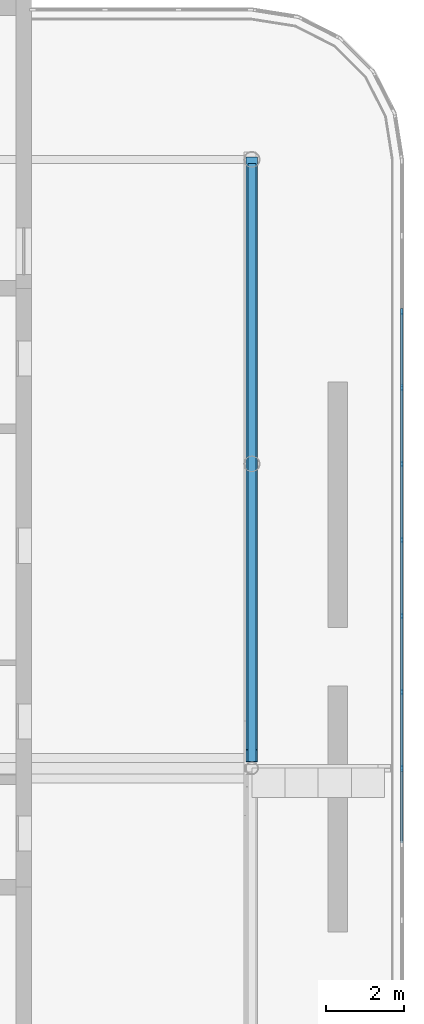
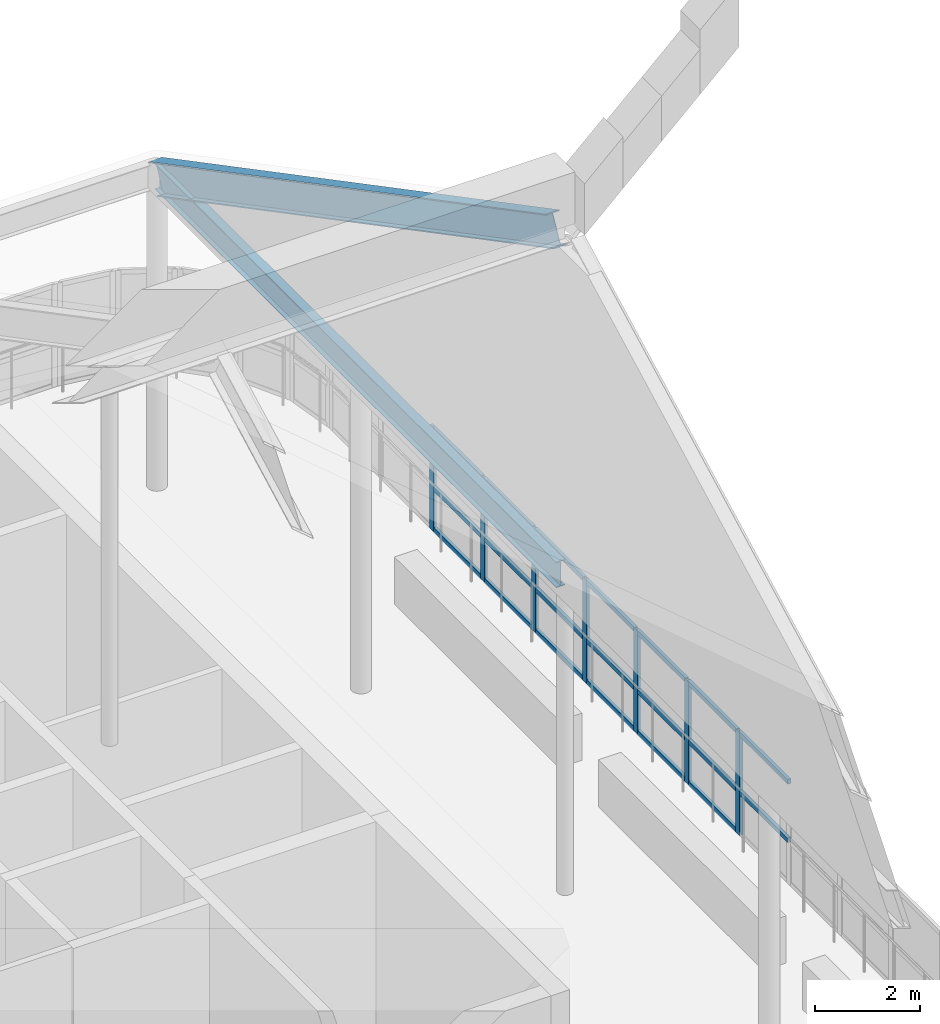
# One storey, part 10 of 19: 27 members, 2 beams, 1 element without a shape of its own.
"""IFC4 building model written with IfcOpenShell, lengths in metres."""

from ifc_helpers import new_model, si_unit, direction, frame, origin, origin_2d, place, context, subcontext, project, spatial, rectangle, i_section, extrude, material, material_profile, profile_set, type_object, element, aggregate, save


model = new_model("IFC4")

# Units and contexts
model_context = context("Model", 3, precision=1e-05, world=origin(), true_north=direction((0.0, 1.0)))
body_context = subcontext(model_context, "Body", "Model", "MODEL_VIEW")
ifc_project = project(units=[si_unit("LENGTHUNIT", "METRE"), si_unit("AREAUNIT", "SQUARE_METRE"), si_unit("VOLUMEUNIT", "CUBIC_METRE"), si_unit("PLANEANGLEUNIT", "RADIAN"), si_unit("MASSUNIT", "GRAM", prefix="KILO")], contexts=[model_context])

# Site, building, storey
site_placement = place(None, origin())
site = spatial("IfcSite", under=ifc_project, at=site_placement, CompositionType="ELEMENT")
building_placement = place(site_placement, origin())
building = spatial("IfcBuilding", under=site, at=building_placement, Name="Ludao Terraces", CompositionType="ELEMENT")
storey_placement = place(building_placement, frame((0.0, 0.0, 266.39990234375)))
storey = spatial("IfcBuildingStorey", under=building, at=storey_placement, Name="L73", CompositionType="ELEMENT", Elevation=266.39990234375)

# Beams
ifc_material_1 = material(Name="Steel Q355", Category="steel")
ifc_material_profile_1 = material_profile(ifc_material_1, i_section(OverallWidth=0.199951171875, OverallDepth=0.60009765625, WebThickness=0.010986328125, FlangeThickness=0.01708984375, at=origin_2d()), Name="HN 600X200X11X17")
ifc_profile_set_1 = profile_set([ifc_material_profile_1], Name="Steel Q355")
beam_type_1 = type_object("IfcBeamType", Name="Canopy eave beam HN 600x200x11x17 Q355", PredefinedType="BEAM", material=ifc_profile_set_1)
beam_1_placement = place(storey_placement, frame((100.60009765625, 65.16748046875, 7.29541015625), z_axis=(0.0, 1.0, 0.0), x_axis=(-1.0, 0.0, 0.0)))
element("IfcBeam", 1, at=beam_1_placement, inside=storey, type_object=beam_type_1, Name="Gable tie beam E north", PredefinedType="BEAM", context=body_context, shape_type="SweptSolid", body=[
    extrude(i_section(OverallWidth=0.199951171875, OverallDepth=0.60009765625, WebThickness=0.010986328125, FlangeThickness=0.01708984375, at=origin_2d()), origin(), (0.0, 0.0, 1.0), 15.33251953125),
])
ifc_material_profile_2 = material_profile(ifc_material_1, i_section(OverallWidth=0.300048828125, OverallDepth=0.699951171875, WebThickness=0.012939453125, FlangeThickness=0.02392578125, at=origin_2d()), Name="HN 700X300X13X24")
ifc_profile_set_2 = profile_set([ifc_material_profile_2], Name="Steel Q355")
beam_type_2 = type_object("IfcBeamType", Name="Canopy rafter HN 700x300x13x24 Q355", PredefinedType="BEAM", material=ifc_profile_set_2)
beam_2_placement = place(storey_placement, frame((100.60009765625, 80.5, 7.252685546875), z_axis=(0.0, -0.885167271236, 0.465272932732), x_axis=(1.0, 0.0, 0.0)))
element("IfcBeam", 2, at=beam_2_placement, inside=storey, type_object=beam_type_2, Name="Canopy rafter north 390", PredefinedType="BEAM", context=body_context, shape_type="SweptSolid", body=[
    extrude(i_section(OverallWidth=0.300048828125, OverallDepth=0.699951171875, WebThickness=0.012939453125, FlangeThickness=0.02392578125, at=origin_2d()), origin(), (0.0, 0.0, 1.0), 17.151611328125),
])

# Curtain wall, members
ifc_material_2 = material(Name="Aluminium curtain wall with fritted glass", Category="aluminium")
curtain_wall_type = type_object("IfcCurtainWallType", Name="ENV CW6 crown screen glazing", PredefinedType="NOTDEFINED", material=ifc_material_2)
curtain_wall_placement = place(storey_placement, origin())
curtain_wall = element("IfcCurtainWall", 3, at=curtain_wall_placement, inside=storey, type_object=curtain_wall_type, Name="Deck windscreen E1", PredefinedType="NOTDEFINED")
ifc_material_3 = material(Name="Aluminium 6063-T6", Category="aluminium")
ifc_material_profile_3 = material_profile(ifc_material_3, rectangle(XDim=0.070068359375, YDim=0.159912109375, at=origin_2d()), Name="70 X 160")
ifc_profile_set_3 = profile_set([ifc_material_profile_3], Name="Aluminium 6063-T6")
member_type_1 = type_object("IfcMemberType", Name="ENV CW6 mullion 70x160", PredefinedType="MULLION", material=ifc_profile_set_3)
member_1_placement = place(storey_placement, frame((104.43994140625, 65.0, 0.0), z_axis=(0.0, 0.0, 1.0), x_axis=(-1.0, 0.0, 0.0)))
member_1 = element("IfcMember", 4, at=member_1_placement, type_object=member_type_1, Name="CW6 mullion 9", PredefinedType="MULLION", context=body_context, shape_type="SweptSolid", body=[
    extrude(rectangle(XDim=0.070068359375, YDim=0.159912109375, at=origin_2d()), origin(), (0.0, 0.0, 1.0), 2.400146484375),
])
member_2_placement = place(storey_placement, frame((104.43994140625, 66.949951171875, 0.0), z_axis=(0.0, 0.0, 1.0), x_axis=(-1.0, 0.0, 0.0)))
member_2 = element("IfcMember", 5, at=member_2_placement, type_object=member_type_1, Name="CW6 mullion 10", PredefinedType="MULLION", context=body_context, shape_type="SweptSolid", body=[
    extrude(rectangle(XDim=0.070068359375, YDim=0.159912109375, at=origin_2d()), origin(), (0.0, 0.0, 1.0), 2.400146484375),
])
member_3_placement = place(storey_placement, frame((104.43994140625, 68.89990234375, 0.0), z_axis=(0.0, 0.0, 1.0), x_axis=(-1.0, 0.0, 0.0)))
member_3 = element("IfcMember", 6, at=member_3_placement, type_object=member_type_1, Name="CW6 mullion 11", PredefinedType="MULLION", context=body_context, shape_type="SweptSolid", body=[
    extrude(rectangle(XDim=0.070068359375, YDim=0.159912109375, at=origin_2d()), origin(), (0.0, 0.0, 1.0), 2.400146484375),
])
member_4_placement = place(storey_placement, frame((104.43994140625, 70.85009765625, 0.0), z_axis=(0.0, 0.0, 1.0), x_axis=(-1.0, 0.0, 0.0)))
member_4 = element("IfcMember", 7, at=member_4_placement, type_object=member_type_1, Name="CW6 mullion 12", PredefinedType="MULLION", context=body_context, shape_type="SweptSolid", body=[
    extrude(rectangle(XDim=0.070068359375, YDim=0.159912109375, at=origin_2d()), origin(), (0.0, 0.0, 1.0), 2.400146484375),
])
member_5_placement = place(storey_placement, frame((104.43994140625, 72.800048828125, 0.0), z_axis=(0.0, 0.0, 1.0), x_axis=(-1.0, 0.0, 0.0)))
member_5 = element("IfcMember", 8, at=member_5_placement, type_object=member_type_1, Name="CW6 mullion 13", PredefinedType="MULLION", context=body_context, shape_type="SweptSolid", body=[
    extrude(rectangle(XDim=0.070068359375, YDim=0.159912109375, at=origin_2d()), origin(), (0.0, 0.0, 1.0), 2.400146484375),
])
member_6_placement = place(storey_placement, frame((104.43994140625, 74.75, 0.0), z_axis=(0.0, 0.0, 1.0), x_axis=(-1.0, 0.0, 0.0)))
member_6 = element("IfcMember", 9, at=member_6_placement, type_object=member_type_1, Name="CW6 mullion 14", PredefinedType="MULLION", context=body_context, shape_type="SweptSolid", body=[
    extrude(rectangle(XDim=0.070068359375, YDim=0.159912109375, at=origin_2d()), origin(), (0.0, 0.0, 1.0), 2.400146484375),
])
member_7_placement = place(storey_placement, frame((104.43994140625, 76.699951171875, 0.0), z_axis=(0.0, 0.0, 1.0), x_axis=(-1.0, 0.0, 0.0)))
member_7 = element("IfcMember", 10, at=member_7_placement, type_object=member_type_1, Name="CW6 mullion 15", PredefinedType="MULLION", context=body_context, shape_type="SweptSolid", body=[
    extrude(rectangle(XDim=0.070068359375, YDim=0.159912109375, at=origin_2d()), origin(), (0.0, 0.0, 1.0), 2.400146484375),
])
ifc_material_profile_4 = material_profile(ifc_material_3, rectangle(XDim=0.070068359375, YDim=0.110107421875, at=origin_2d()), Name="70 X 110")
ifc_profile_set_4 = profile_set([ifc_material_profile_4], Name="Aluminium 6063-T6")
member_type_2 = type_object("IfcMemberType", Name="ENV CW6 transom 70x110", PredefinedType="USERDEFINED", material=ifc_profile_set_4)
member_8_placement = place(storey_placement, frame((104.43994140625, 63.0849609375, 1.0), z_axis=(0.0, 1.0, 0.0), x_axis=(-1.0, 0.0, 0.0)))
member_8 = element("IfcMember", 11, at=member_8_placement, type_object=member_type_2, Name="CW6 transom 8.2", ObjectType="TRANSOM", PredefinedType="USERDEFINED", context=body_context, shape_type="SweptSolid", body=[
    extrude(rectangle(XDim=0.070068359375, YDim=0.110107421875, at=origin_2d()), origin(), (0.0, 0.0, 1.0), 1.880126953125),
])
member_9_placement = place(storey_placement, frame((104.43994140625, 63.0849609375, 2.364990234375), z_axis=(0.0, 1.0, 0.0), x_axis=(-1.0, 0.0, 0.0)))
member_9 = element("IfcMember", 12, at=member_9_placement, type_object=member_type_2, Name="CW6 transom 8.3", ObjectType="TRANSOM", PredefinedType="USERDEFINED", context=body_context, shape_type="SweptSolid", body=[
    extrude(rectangle(XDim=0.070068359375, YDim=0.110107421875, at=origin_2d()), origin(), (0.0, 0.0, 1.0), 1.880126953125),
])
member_10_placement = place(storey_placement, frame((104.43994140625, 65.034912109375, 0.03515625), z_axis=(0.0, 1.0, 0.0), x_axis=(-1.0, 0.0, 0.0)))
member_10 = element("IfcMember", 13, at=member_10_placement, type_object=member_type_2, Name="CW6 transom 9.1", ObjectType="TRANSOM", PredefinedType="USERDEFINED", context=body_context, shape_type="SweptSolid", body=[
    extrude(rectangle(XDim=0.070068359375, YDim=0.110107421875, at=origin_2d()), origin(), (0.0, 0.0, 1.0), 1.880126953125),
])
member_11_placement = place(storey_placement, frame((104.43994140625, 65.034912109375, 1.0), z_axis=(0.0, 1.0, 0.0), x_axis=(-1.0, 0.0, 0.0)))
member_11 = element("IfcMember", 14, at=member_11_placement, type_object=member_type_2, Name="CW6 transom 9.2", ObjectType="TRANSOM", PredefinedType="USERDEFINED", context=body_context, shape_type="SweptSolid", body=[
    extrude(rectangle(XDim=0.070068359375, YDim=0.110107421875, at=origin_2d()), origin(), (0.0, 0.0, 1.0), 1.880126953125),
])
member_12_placement = place(storey_placement, frame((104.43994140625, 65.034912109375, 2.364990234375), z_axis=(0.0, 1.0, 0.0), x_axis=(-1.0, 0.0, 0.0)))
member_12 = element("IfcMember", 15, at=member_12_placement, type_object=member_type_2, Name="CW6 transom 9.3", ObjectType="TRANSOM", PredefinedType="USERDEFINED", context=body_context, shape_type="SweptSolid", body=[
    extrude(rectangle(XDim=0.070068359375, YDim=0.110107421875, at=origin_2d()), origin(), (0.0, 0.0, 1.0), 1.880126953125),
])
member_13_placement = place(storey_placement, frame((104.43994140625, 66.985107421875, 0.03515625), z_axis=(0.0, 1.0, 0.0), x_axis=(-1.0, 0.0, 0.0)))
member_13 = element("IfcMember", 16, at=member_13_placement, type_object=member_type_2, Name="CW6 transom 10.1", ObjectType="TRANSOM", PredefinedType="USERDEFINED", context=body_context, shape_type="SweptSolid", body=[
    extrude(rectangle(XDim=0.070068359375, YDim=0.110107421875, at=origin_2d()), origin(), (0.0, 0.0, 1.0), 1.8798828125),
])
member_14_placement = place(storey_placement, frame((104.43994140625, 66.985107421875, 1.0), z_axis=(0.0, 1.0, 0.0), x_axis=(-1.0, 0.0, 0.0)))
member_14 = element("IfcMember", 17, at=member_14_placement, type_object=member_type_2, Name="CW6 transom 10.2", ObjectType="TRANSOM", PredefinedType="USERDEFINED", context=body_context, shape_type="SweptSolid", body=[
    extrude(rectangle(XDim=0.070068359375, YDim=0.110107421875, at=origin_2d()), origin(), (0.0, 0.0, 1.0), 1.8798828125),
])
member_15_placement = place(storey_placement, frame((104.43994140625, 66.985107421875, 2.364990234375), z_axis=(0.0, 1.0, 0.0), x_axis=(-1.0, 0.0, 0.0)))
member_15 = element("IfcMember", 18, at=member_15_placement, type_object=member_type_2, Name="CW6 transom 10.3", ObjectType="TRANSOM", PredefinedType="USERDEFINED", context=body_context, shape_type="SweptSolid", body=[
    extrude(rectangle(XDim=0.070068359375, YDim=0.110107421875, at=origin_2d()), origin(), (0.0, 0.0, 1.0), 1.8798828125),
])
member_16_placement = place(storey_placement, frame((104.43994140625, 68.93505859375, 0.03515625), z_axis=(0.0, 1.0, 0.0), x_axis=(-1.0, 0.0, 0.0)))
member_16 = element("IfcMember", 19, at=member_16_placement, type_object=member_type_2, Name="CW6 transom 11.1", ObjectType="TRANSOM", PredefinedType="USERDEFINED", context=body_context, shape_type="SweptSolid", body=[
    extrude(rectangle(XDim=0.070068359375, YDim=0.110107421875, at=origin_2d()), origin(), (0.0, 0.0, 1.0), 1.8798828125),
])
member_17_placement = place(storey_placement, frame((104.43994140625, 68.93505859375, 1.0), z_axis=(0.0, 1.0, 0.0), x_axis=(-1.0, 0.0, 0.0)))
member_17 = element("IfcMember", 20, at=member_17_placement, type_object=member_type_2, Name="CW6 transom 11.2", ObjectType="TRANSOM", PredefinedType="USERDEFINED", context=body_context, shape_type="SweptSolid", body=[
    extrude(rectangle(XDim=0.070068359375, YDim=0.110107421875, at=origin_2d()), origin(), (0.0, 0.0, 1.0), 1.8798828125),
])
member_18_placement = place(storey_placement, frame((104.43994140625, 68.93505859375, 2.364990234375), z_axis=(0.0, 1.0, 0.0), x_axis=(-1.0, 0.0, 0.0)))
member_18 = element("IfcMember", 21, at=member_18_placement, type_object=member_type_2, Name="CW6 transom 11.3", ObjectType="TRANSOM", PredefinedType="USERDEFINED", context=body_context, shape_type="SweptSolid", body=[
    extrude(rectangle(XDim=0.070068359375, YDim=0.110107421875, at=origin_2d()), origin(), (0.0, 0.0, 1.0), 1.8798828125),
])
member_19_placement = place(storey_placement, frame((104.43994140625, 70.885009765625, 0.03515625), z_axis=(0.0, 1.0, 0.0), x_axis=(-1.0, 0.0, 0.0)))
member_19 = element("IfcMember", 22, at=member_19_placement, type_object=member_type_2, Name="CW6 transom 12.1", ObjectType="TRANSOM", PredefinedType="USERDEFINED", context=body_context, shape_type="SweptSolid", body=[
    extrude(rectangle(XDim=0.070068359375, YDim=0.110107421875, at=origin_2d()), origin(), (0.0, 0.0, 1.0), 1.8798828125),
])
member_20_placement = place(storey_placement, frame((104.43994140625, 70.885009765625, 1.0), z_axis=(0.0, 1.0, 0.0), x_axis=(-1.0, 0.0, 0.0)))
member_20 = element("IfcMember", 23, at=member_20_placement, type_object=member_type_2, Name="CW6 transom 12.2", ObjectType="TRANSOM", PredefinedType="USERDEFINED", context=body_context, shape_type="SweptSolid", body=[
    extrude(rectangle(XDim=0.070068359375, YDim=0.110107421875, at=origin_2d()), origin(), (0.0, 0.0, 1.0), 1.8798828125),
])
member_21_placement = place(storey_placement, frame((104.43994140625, 70.885009765625, 2.364990234375), z_axis=(0.0, 1.0, 0.0), x_axis=(-1.0, 0.0, 0.0)))
member_21 = element("IfcMember", 24, at=member_21_placement, type_object=member_type_2, Name="CW6 transom 12.3", ObjectType="TRANSOM", PredefinedType="USERDEFINED", context=body_context, shape_type="SweptSolid", body=[
    extrude(rectangle(XDim=0.070068359375, YDim=0.110107421875, at=origin_2d()), origin(), (0.0, 0.0, 1.0), 1.8798828125),
])
member_22_placement = place(storey_placement, frame((104.43994140625, 72.8349609375, 0.03515625), z_axis=(0.0, 1.0, 0.0), x_axis=(-1.0, 0.0, 0.0)))
member_22 = element("IfcMember", 25, at=member_22_placement, type_object=member_type_2, Name="CW6 transom 13.1", ObjectType="TRANSOM", PredefinedType="USERDEFINED", context=body_context, shape_type="SweptSolid", body=[
    extrude(rectangle(XDim=0.070068359375, YDim=0.110107421875, at=origin_2d()), origin(), (0.0, 0.0, 1.0), 1.880126953125),
])
member_23_placement = place(storey_placement, frame((104.43994140625, 72.8349609375, 1.0), z_axis=(0.0, 1.0, 0.0), x_axis=(-1.0, 0.0, 0.0)))
member_23 = element("IfcMember", 26, at=member_23_placement, type_object=member_type_2, Name="CW6 transom 13.2", ObjectType="TRANSOM", PredefinedType="USERDEFINED", context=body_context, shape_type="SweptSolid", body=[
    extrude(rectangle(XDim=0.070068359375, YDim=0.110107421875, at=origin_2d()), origin(), (0.0, 0.0, 1.0), 1.880126953125),
])
member_24_placement = place(storey_placement, frame((104.43994140625, 72.8349609375, 2.364990234375), z_axis=(0.0, 1.0, 0.0), x_axis=(-1.0, 0.0, 0.0)))
member_24 = element("IfcMember", 27, at=member_24_placement, type_object=member_type_2, Name="CW6 transom 13.3", ObjectType="TRANSOM", PredefinedType="USERDEFINED", context=body_context, shape_type="SweptSolid", body=[
    extrude(rectangle(XDim=0.070068359375, YDim=0.110107421875, at=origin_2d()), origin(), (0.0, 0.0, 1.0), 1.880126953125),
])
member_25_placement = place(storey_placement, frame((104.43994140625, 74.784912109375, 0.03515625), z_axis=(0.0, 1.0, 0.0), x_axis=(-1.0, 0.0, 0.0)))
member_25 = element("IfcMember", 28, at=member_25_placement, type_object=member_type_2, Name="CW6 transom 14.1", ObjectType="TRANSOM", PredefinedType="USERDEFINED", context=body_context, shape_type="SweptSolid", body=[
    extrude(rectangle(XDim=0.070068359375, YDim=0.110107421875, at=origin_2d()), origin(), (0.0, 0.0, 1.0), 1.880126953125),
])
member_26_placement = place(storey_placement, frame((104.43994140625, 74.784912109375, 1.0), z_axis=(0.0, 1.0, 0.0), x_axis=(-1.0, 0.0, 0.0)))
member_26 = element("IfcMember", 29, at=member_26_placement, type_object=member_type_2, Name="CW6 transom 14.2", ObjectType="TRANSOM", PredefinedType="USERDEFINED", context=body_context, shape_type="SweptSolid", body=[
    extrude(rectangle(XDim=0.070068359375, YDim=0.110107421875, at=origin_2d()), origin(), (0.0, 0.0, 1.0), 1.880126953125),
])
member_27_placement = place(storey_placement, frame((104.43994140625, 74.784912109375, 2.364990234375), z_axis=(0.0, 1.0, 0.0), x_axis=(-1.0, 0.0, 0.0)))
member_27 = element("IfcMember", 30, at=member_27_placement, type_object=member_type_2, Name="CW6 transom 14.3", ObjectType="TRANSOM", PredefinedType="USERDEFINED", context=body_context, shape_type="SweptSolid", body=[
    extrude(rectangle(XDim=0.070068359375, YDim=0.110107421875, at=origin_2d()), origin(), (0.0, 0.0, 1.0), 1.880126953125),
])
aggregate(curtain_wall, [member_1, member_2, member_3, member_4, member_5, member_6, member_7, member_8, member_9, member_10, member_11, member_12, member_13, member_14, member_15, member_16, member_17, member_18, member_19, member_20, member_21, member_22, member_23, member_24, member_25, member_26, member_27])

save(model, "model.ifc")
